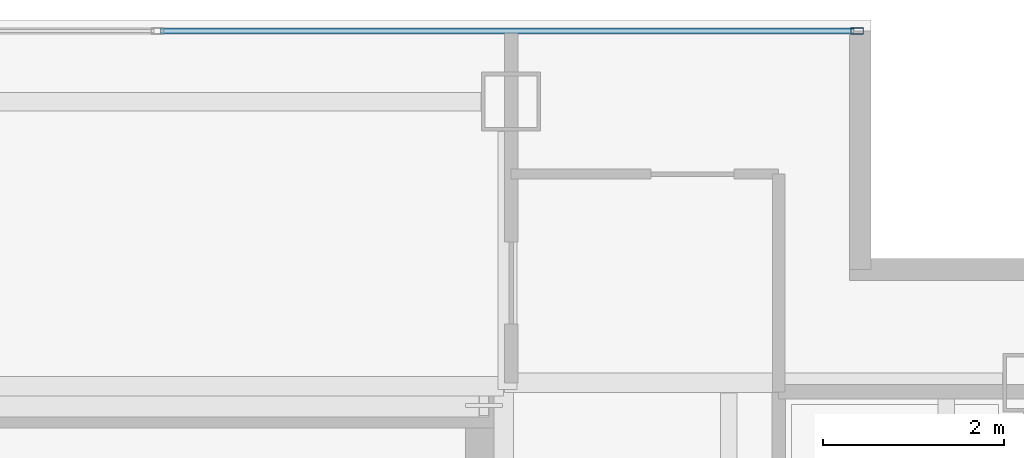
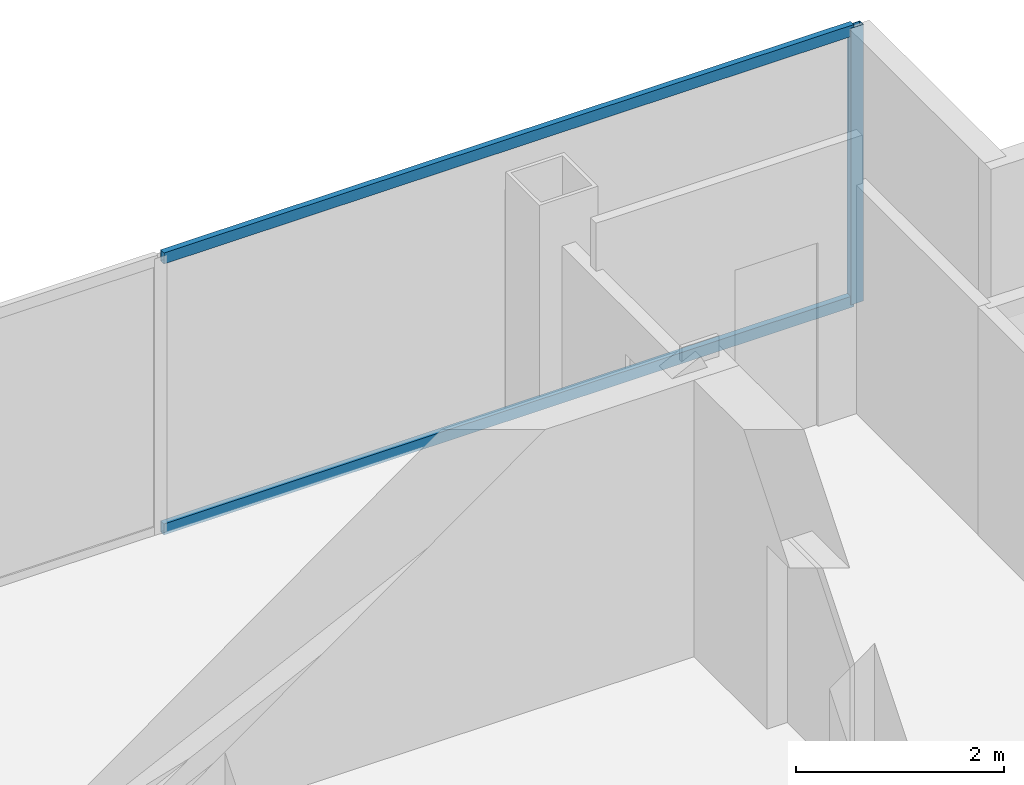
# One storey, part 18 of 23: 3 members, 1 element without a shape of its own.
"""IFC4 building model written with IfcOpenShell, lengths in metres."""

from ifc_helpers import new_model, si_unit, direction, frame, origin, origin_2d, place, context, subcontext, project, spatial, hollow_rectangle, extrude, material, material_profile, profile_set, type_object, element, aggregate, save


model = new_model("IFC4")

# Units and contexts
model_context = context("Model", 3, precision=1e-05, world=origin(), true_north=direction((0.0, 1.0)))
body_context = subcontext(model_context, "Body", "Model", "MODEL_VIEW")
ifc_project = project(units=[si_unit("LENGTHUNIT", "METRE"), si_unit("AREAUNIT", "SQUARE_METRE"), si_unit("VOLUMEUNIT", "CUBIC_METRE"), si_unit("PLANEANGLEUNIT", "RADIAN"), si_unit("MASSUNIT", "GRAM", prefix="KILO")], contexts=[model_context])

# Site, building, storey
site_placement = place(None, origin())
site = spatial("IfcSite", under=ifc_project, at=site_placement, CompositionType="ELEMENT")
building_placement = place(site_placement, origin())
building = spatial("IfcBuilding", under=site, at=building_placement, Name="Cobrela Telecom Tower", CompositionType="ELEMENT")
storey_placement = place(building_placement, frame((0.0, 0.0, 272.64990234375)))
storey = spatial("IfcBuildingStorey", under=building, at=storey_placement, Name="L71", CompositionType="ELEMENT", Elevation=272.64990234375)

# Curtain wall, members
ifc_material = material(Name="Anodized Bronze Aluminium 6063-T6", Category="aluminium")
curtain_wall_type = type_object("IfcCurtainWallType", Name="CW-SYS-OFF-HI", PredefinedType="USERDEFINED", material=ifc_material)
curtain_wall_placement = place(storey_placement, origin())
curtain_wall = element("IfcCurtainWall", 1, at=curtain_wall_placement, inside=storey, type_object=curtain_wall_type, Name="L71 Unitised Bronze Curtain Wall 05", ObjectType="UNITISED CURTAIN WALL", PredefinedType="USERDEFINED")
ifc_material_profile_1 = material_profile(ifc_material, hollow_rectangle(XDim=0.070068359375, YDim=0.139892578125, WallThickness=0.00390625, at=origin_2d()), Name="ALU 70x140x4")
ifc_profile_set_1 = profile_set([ifc_material_profile_1], Name="Anodized Bronze Aluminium 6063-T6")
member_type_1 = type_object("IfcMemberType", Name="CW-SYS-OFF-HI-MUL", PredefinedType="MULLION", material=ifc_profile_set_1)
member_1_placement = place(storey_placement, frame((18.215087890625, 39.8798828125, 0.0), z_axis=(0.0, 0.0, 1.0), x_axis=(0.0, 1.0, 0.0)))
member_1 = element("IfcMember", 2, at=member_1_placement, type_object=member_type_1, Name="CW-OFF-HI mullion 3", PredefinedType="MULLION", context=body_context, shape_type="SweptSolid", body=[
    extrude(hollow_rectangle(XDim=0.070068359375, YDim=0.139892578125, WallThickness=0.00390625, at=origin_2d()), origin(), (0.0, 0.0, 1.0), 3.239990234375),
])
ifc_material_profile_2 = material_profile(ifc_material, hollow_rectangle(XDim=0.06494140625, YDim=0.1298828125, WallThickness=0.00390625, at=origin_2d()), Name="ALU 65x130x4")
ifc_profile_set_2 = profile_set([ifc_material_profile_2], Name="Anodized Bronze Aluminium 6063-T6")
member_type_2 = type_object("IfcMemberType", Name="CW-SYS-OFF-HI-TRN", PredefinedType="USERDEFINED", material=ifc_profile_set_2)
member_2_placement = place(storey_placement, frame((10.534912109375, 39.8798828125, 0.03271484375), z_axis=(1.0, 0.0, 0.0), x_axis=(0.0, 1.0, 0.0)))
member_2 = element("IfcMember", 3, at=member_2_placement, type_object=member_type_2, Name="CW-OFF-HI transom 2.1", ObjectType="TRANSOM", PredefinedType="USERDEFINED", context=body_context, shape_type="SweptSolid", body=[
    extrude(hollow_rectangle(XDim=0.06494140625, YDim=0.1298828125, WallThickness=0.00390625, at=origin_2d()), origin(), (0.0, 0.0, 1.0), 7.64501953125),
])
member_3_placement = place(storey_placement, frame((10.534912109375, 39.8798828125, 3.20751953125), z_axis=(1.0, 0.0, 0.0), x_axis=(0.0, 1.0, 0.0)))
member_3 = element("IfcMember", 4, at=member_3_placement, type_object=member_type_2, Name="CW-OFF-HI transom 2.2", ObjectType="TRANSOM", PredefinedType="USERDEFINED", context=body_context, shape_type="SweptSolid", body=[
    extrude(hollow_rectangle(XDim=0.06494140625, YDim=0.1298828125, WallThickness=0.00390625, at=origin_2d()), origin(), (0.0, 0.0, 1.0), 7.64501953125),
])
aggregate(curtain_wall, [member_1, member_2, member_3])

save(model, "model.ifc")
